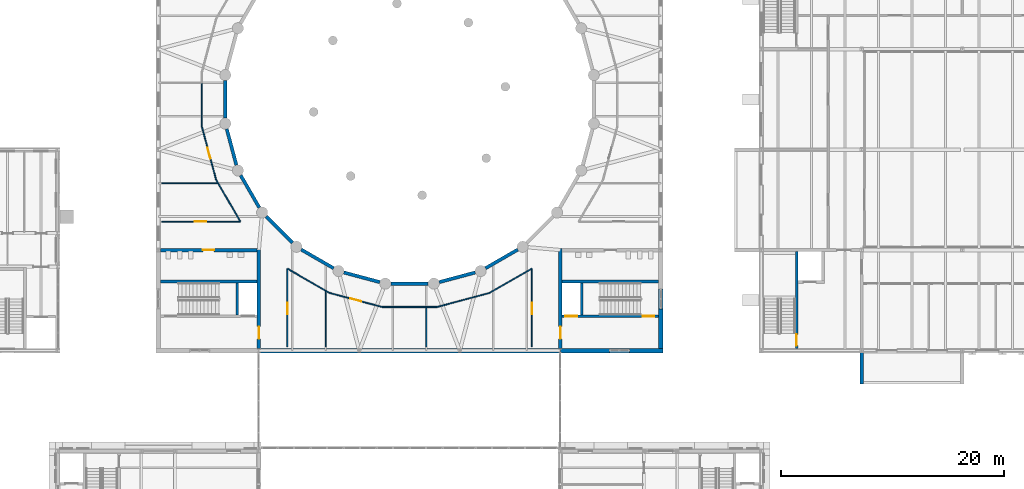
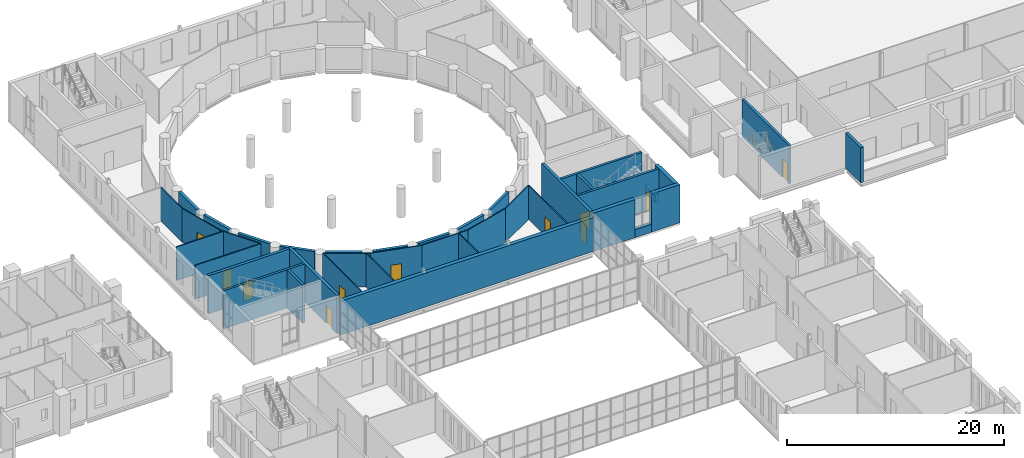
# One storey, part 83 of 134: 42 walls, 11 doors, 11 openings.
"""IFC4 building model written with IfcOpenShell, lengths in metres."""

from ifc_helpers import new_model, si_unit, direction, frame, frame_2d, origin, place, context, subcontext, project, spatial, rectangle, extrude, material, layer, layer_set, type_object, element, fill, save


model = new_model("IFC4")

# Units and contexts
model_context = context("Model", 3, precision=1e-05, world=origin(), true_north=direction((0.0, 1.0)))
body_context = subcontext(model_context, "Body", "Model", "MODEL_VIEW")
ifc_project = project(units=[si_unit("LENGTHUNIT", "METRE"), si_unit("AREAUNIT", "SQUARE_METRE"), si_unit("VOLUMEUNIT", "CUBIC_METRE"), si_unit("PLANEANGLEUNIT", "RADIAN"), si_unit("MASSUNIT", "GRAM", prefix="KILO")], contexts=[model_context])

# Site, building, storey
site_placement = place(None, origin())
site = spatial("IfcSite", under=ifc_project, at=site_placement, CompositionType="ELEMENT")
building_placement = place(site_placement, origin())
building = spatial("IfcBuilding", under=site, at=building_placement, Name="Golden Quay Civic Hall", CompositionType="ELEMENT")
storey_placement = place(building_placement, frame((0.0, 0.0, 5.39990234375)))
storey = spatial("IfcBuildingStorey", under=building, at=storey_placement, Name="L01", CompositionType="ELEMENT", Elevation=5.39990234375)

# Wall
ifc_material_1 = material(Name="Brick, dark clay facing", Category="masonry")
ifc_layer_1 = layer(ifc_material_1, 0.300048828125)
ifc_layer_set_1 = layer_set([ifc_layer_1], Name="Brick loggia wall 300")
wall_type_1 = type_object("IfcWallType", Name="Brick loggia wall 300", PredefinedType="STANDARD", material=ifc_layer_set_1)
wall_1_placement = place(storey_placement, frame((126.0, 62.820068359375, 0.0), z_axis=(0.0, 0.0, 1.0), x_axis=(0.0, -1.0, 0.0)))
element("IfcWall", 1, at=wall_1_placement, inside=storey, type_object=wall_type_1, Name="Brick loggia wall 300 L01 11", PredefinedType="STANDARD", context=body_context, shape_type="SweptSolid", body=[
    extrude(rectangle(XDim=2.820068359375, YDim=0.300048828125, at=frame_2d((1.41015625, 0.0))), origin(), (0.0, 0.0, 1.0), 3.97021484375),
])

# Wall, opening, door
ifc_material_2 = material(Name="Concrete C40/50", Category="concrete")
ifc_layer_2 = layer(ifc_material_2, 0.25)
ifc_layer_set_2 = layer_set([ifc_layer_2], Name="Concrete core wall 250, Concrete C40/50")
wall_type_2 = type_object("IfcWallType", Name="Concrete core wall 250", PredefinedType="SHEAR", material=ifc_layer_set_2)
wall_2_placement = place(storey_placement, frame((120.175048828125, 63.199951171875, 0.0), z_axis=(0.0, 0.0, 1.0), x_axis=(0.0, 1.0, 0.0)))
wall_2 = element("IfcWall", 2, at=wall_2_placement, inside=storey, type_object=wall_type_2, Name="L01 core wall W stair east", PredefinedType="SHEAR", context=body_context, shape_type="SweptSolid", body=[
    extrude(rectangle(XDim=8.675048828125, YDim=0.25, at=frame_2d((4.33740234375, 0.0))), origin(), (0.0, 0.0, 1.0), 4.300048828125),
])
opening_1_placement = place(wall_2_placement, frame((0.25, 0.0, 0.0)))
opening_1 = element("IfcOpeningElement", 3, at=opening_1_placement, cuts=wall_2, Name="Opening L01-D214", PredefinedType="OPENING", context=body_context, shape_type="SweptSolid", body=[
    extrude(rectangle(XDim=1.0, YDim=2.10009765625, at=frame_2d((0.5, 1.050048828125))), frame((0.0, 0.135009765625, 0.0), z_axis=(0.0, -1.0, 0.0), x_axis=(1.0, 0.0, 0.0)), (0.0, 0.0, 1.0), 0.27001953125),
])
ifc_material_3 = material(Name="Steel", Category="steel")
door_type_1 = type_object("IfcDoorType", Name="Steel fire door FD60 1000 x 2100", OperationType="SINGLE_SWING_LEFT", PredefinedType="DOOR", material=ifc_material_3)
door_1_placement = place(opening_1_placement, frame((1.0, 0.0, 0.0), z_axis=(0.0, 0.0, 1.0), x_axis=(-1.0, 0.0, 0.0)))
door_1 = element("IfcDoor", 4, at=door_1_placement, inside=storey, type_object=door_type_1, Name="Stair door LB-W", OperationType="SINGLE_SWING_RIGHT", OverallHeight=2.10009765625, OverallWidth=1.0, PredefinedType="DOOR", context=body_context, shape_type="SweptSolid", body=[
    extrude(rectangle(XDim=1.0, YDim=2.10009765625, at=frame_2d((0.5, 1.050048828125))), frame((0.0, 0.025146484375, 0.0), z_axis=(0.0, -1.0, 0.0), x_axis=(1.0, 0.0, 0.0)), (0.0, 0.0, 1.0), 0.050048828125),
])
fill(opening_1, door_1)

# Walls
ifc_material_4 = material(Name="Plasterboard on steel studs", Category="steel")
ifc_layer_3 = layer(ifc_material_4, 0.10009765625)
ifc_layer_set_3 = layer_set([ifc_layer_3], Name="Partition 100 stud")
wall_type_3 = type_object("IfcWallType", Name="Partition 100 stud", PredefinedType="PARTITIONING", material=ifc_layer_set_3)
wall_3_placement = place(storey_placement, frame((78.0, 63.320068359375, 0.0), z_axis=(0.0, 0.0, 1.0), x_axis=(0.0, 1.0, 0.0)))
element("IfcWall", 5, at=wall_3_placement, inside=storey, type_object=wall_type_3, Name="Partition 1", PredefinedType="PARTITIONING", context=body_context, shape_type="SweptSolid", body=[
    extrude(rectangle(XDim=5.03271484375, YDim=0.10009765625, at=frame_2d((2.516357421875, 0.0))), origin(), (0.0, 0.0, 1.0), 3.81005859375),
])
wall_4_placement = place(storey_placement, frame((87.0, 63.320068359375, 0.0), z_axis=(0.0, 0.0, 1.0), x_axis=(0.0, 1.0, 0.0)))
element("IfcWall", 6, at=wall_4_placement, inside=storey, type_object=wall_type_3, Name="Partition 4", PredefinedType="PARTITIONING", context=body_context, shape_type="SweptSolid", body=[
    extrude(rectangle(XDim=3.579833984375, YDim=0.10009765625, at=frame_2d((1.7900390625, 0.0))), origin(), (0.0, 0.0, 1.0), 3.81005859375),
])
wall_5_placement = place(storey_placement, frame((68.352783203125, 78.0, 0.0), z_axis=(0.0, 0.0, 1.0), x_axis=(-1.0, 0.0, 0.0)))
element("IfcWall", 7, at=wall_5_placement, inside=storey, type_object=wall_type_3, Name="Partition 12", PredefinedType="PARTITIONING", context=body_context, shape_type="SweptSolid", body=[
    extrude(rectangle(XDim=5.03271484375, YDim=0.10009765625, at=frame_2d((2.516357421875, 0.0))), origin(), (0.0, 0.0, 1.0), 3.81005859375),
])
ifc_material_5 = material(Name="Gypsum board on steel stud", Category="steel")
ifc_layer_4 = layer(ifc_material_5, 0.10009765625)
ifc_layer_set_4 = layer_set([ifc_layer_4], Name="Partition 100 stud fire EI 60")
wall_type_4 = type_object("IfcWallType", Name="Partition 100 stud fire EI 60", PredefinedType="PARTITIONING", material=ifc_layer_set_4)
wall_6_placement = place(storey_placement, frame((78.02001953125, 68.341064453125, 0.0), z_axis=(0.0, 0.0, 1.0), x_axis=(-0.866022221199, 0.500005512359, 0.0)))
element("IfcWall", 8, at=wall_6_placement, inside=storey, type_object=wall_type_4, Name="Partition 2", PredefinedType="PARTITIONING", context=body_context, shape_type="SweptSolid", body=[
    extrude(rectangle(XDim=4.0068359375, YDim=0.10009765625, at=frame_2d((2.00341796875, 0.0))), origin(), (0.0, 0.0, 1.0), 3.81005859375),
])

# Wall, opening, door
wall_7_placement = place(storey_placement, frame((74.550048828125, 70.344482421875, 0.0), z_axis=(0.0, 0.0, 1.0), x_axis=(0.0, -1.0, 0.0)))
wall_7 = element("IfcWall", 9, at=wall_7_placement, inside=storey, type_object=wall_type_4, Name="Partition 3", PredefinedType="PARTITIONING", context=body_context, shape_type="SweptSolid", body=[
    extrude(rectangle(XDim=7.0244140625, YDim=0.10009765625, at=frame_2d((3.51220703125, 0.0))), origin(), (0.0, 0.0, 1.0), 3.81005859375),
])
opening_2_placement = place(wall_7_placement, frame((3.072265625, 0.0, 0.0)))
opening_2 = element("IfcOpeningElement", 10, at=opening_2_placement, cuts=wall_7, Name="Opening L01-D178", PredefinedType="OPENING", context=body_context, shape_type="SweptSolid", body=[
    extrude(rectangle(XDim=1.0, YDim=2.10009765625, at=frame_2d((0.5, 1.050048828125))), frame((0.0, 0.06005859375, 0.0), z_axis=(0.0, -1.0, 0.0), x_axis=(1.0, 0.0, 0.0)), (0.0, 0.0, 1.0), 0.1201171875),
])
ifc_material_6 = material(Name="Timber", Category="wood")
door_type_2 = type_object("IfcDoorType", Name="Timber fire door FD30S 1000 x 2100", OperationType="SINGLE_SWING_LEFT", PredefinedType="DOOR", material=ifc_material_6)
door_2_placement = place(opening_2_placement, origin())
door_2 = element("IfcDoor", 11, at=door_2_placement, inside=storey, type_object=door_type_2, Name="Door Press Room", OperationType="SINGLE_SWING_LEFT", OverallHeight=2.10009765625, OverallWidth=1.0, PredefinedType="DOOR", context=body_context, shape_type="SweptSolid", body=[
    extrude(rectangle(XDim=1.0, YDim=2.10009765625, at=frame_2d((0.5, 1.050048828125))), frame((0.0, 0.02490234375, 0.0), z_axis=(0.0, -1.0, 0.0), x_axis=(1.0, 0.0, 0.0)), (0.0, 0.0, 1.0), 0.050048828125),
])
fill(opening_2, door_2)

# Wall
wall_8_placement = place(storey_placement, frame((87.02001953125, 66.89990234375, 0.0), z_axis=(0.0, 0.0, 1.0), x_axis=(-1.0, 0.0, 0.0)))
element("IfcWall", 12, at=wall_8_placement, inside=storey, type_object=wall_type_4, Name="Partition 5", PredefinedType="PARTITIONING", context=body_context, shape_type="SweptSolid", body=[
    extrude(rectangle(XDim=3.96875, YDim=0.10009765625, at=frame_2d((1.984375, 0.0))), origin(), (0.0, 0.0, 1.0), 3.81005859375),
])

# Wall, opening, door
wall_9_placement = place(storey_placement, frame((83.05126953125, 66.89990234375, 0.0), z_axis=(0.0, 0.0, 1.0), x_axis=(-0.965923128678, 0.258829112515, 0.0)))
wall_9 = element("IfcWall", 13, at=wall_9_placement, inside=storey, type_object=wall_type_4, Name="Partition 6", PredefinedType="PARTITIONING", context=body_context, shape_type="SweptSolid", body=[
    extrude(rectangle(XDim=4.8974609375, YDim=0.10009765625, at=frame_2d((2.44873046875, 0.0))), origin(), (0.0, 0.0, 1.0), 3.81005859375),
])
opening_3_placement = place(wall_9_placement, frame((1.94873046875, 0.0, 0.0)))
opening_3 = element("IfcOpeningElement", 14, at=opening_3_placement, cuts=wall_9, Name="Opening L01-D179", PredefinedType="OPENING", context=body_context, shape_type="SweptSolid", body=[
    extrude(rectangle(XDim=1.0, YDim=2.10009765625, at=frame_2d((0.5, 1.050048828125))), frame((0.0, 0.06005859375, 0.0), z_axis=(0.0, -1.0, 0.0), x_axis=(1.0, 0.0, 0.0)), (0.0, 0.0, 1.0), 0.1201171875),
])
door_3_placement = place(opening_3_placement, origin())
door_3 = element("IfcDoor", 15, at=door_3_placement, inside=storey, type_object=door_type_2, Name="Door Press Briefing Room", OperationType="SINGLE_SWING_LEFT", OverallHeight=2.10009765625, OverallWidth=1.0, PredefinedType="DOOR", context=body_context, shape_type="SweptSolid", body=[
    extrude(rectangle(XDim=1.0, YDim=2.10009765625, at=frame_2d((0.5, 1.050048828125))), frame((0.0, 0.02490234375, 0.0), z_axis=(0.0, -1.0, 0.0), x_axis=(1.0, 0.0, 0.0)), (0.0, 0.0, 1.0), 0.050048828125),
])
fill(opening_3, door_3)

# Wall
wall_10_placement = place(storey_placement, frame((78.32080078125, 68.16748046875, 0.0), z_axis=(0.0, 0.0, 1.0), x_axis=(-0.86592525075, 0.500173430036, 0.0)))
element("IfcWall", 16, at=wall_10_placement, inside=storey, type_object=wall_type_4, Name="Partition 7", PredefinedType="PARTITIONING", context=body_context, shape_type="SweptSolid", body=[
    extrude(rectangle(XDim=0.390380859375, YDim=0.10009765625, at=frame_2d((0.1953125, 0.0))), origin(), (0.0, 0.0, 1.0), 3.81005859375),
])

# Wall, opening, door
wall_11_placement = place(storey_placement, frame((96.449951171875, 63.320068359375, 0.0), z_axis=(0.0, 0.0, 1.0), x_axis=(0.0, 1.0, 0.0)))
wall_11 = element("IfcWall", 17, at=wall_11_placement, inside=storey, type_object=wall_type_4, Name="Partition 8", PredefinedType="PARTITIONING", context=body_context, shape_type="SweptSolid", body=[
    extrude(rectangle(XDim=7.0244140625, YDim=0.10009765625, at=frame_2d((3.51220703125, 0.0))), origin(), (0.0, 0.0, 1.0), 3.81005859375),
])
opening_4_placement = place(wall_11_placement, frame((2.952392578125, 0.0, 0.0)))
opening_4 = element("IfcOpeningElement", 18, at=opening_4_placement, cuts=wall_11, Name="Opening L01-D180", PredefinedType="OPENING", context=body_context, shape_type="SweptSolid", body=[
    extrude(rectangle(XDim=1.0, YDim=2.10009765625, at=frame_2d((0.5, 1.050048828125))), frame((0.0, 0.06005859375, 0.0), z_axis=(0.0, -1.0, 0.0), x_axis=(1.0, 0.0, 0.0)), (0.0, 0.0, 1.0), 0.1201171875),
])
door_4_placement = place(opening_4_placement, origin())
door_4 = element("IfcDoor", 19, at=door_4_placement, inside=storey, type_object=door_type_2, Name="Door Media Control Room", OperationType="SINGLE_SWING_LEFT", OverallHeight=2.10009765625, OverallWidth=1.0, PredefinedType="DOOR", context=body_context, shape_type="SweptSolid", body=[
    extrude(rectangle(XDim=1.0, YDim=2.10009765625, at=frame_2d((0.5, 1.050048828125))), frame((0.0, 0.02490234375, 0.0), z_axis=(0.0, -1.0, 0.0), x_axis=(1.0, 0.0, 0.0)), (0.0, 0.0, 1.0), 0.050048828125),
])
fill(opening_4, door_4)

# Walls
wall_12_placement = place(storey_placement, frame((96.449951171875, 70.344482421875, 0.0), z_axis=(0.0, 0.0, 1.0), x_axis=(-0.866029650479, -0.499992644437, 0.0)))
element("IfcWall", 20, at=wall_12_placement, inside=storey, type_object=wall_type_4, Name="Partition 9", PredefinedType="PARTITIONING", context=body_context, shape_type="SweptSolid", body=[
    extrude(rectangle(XDim=4.35400390625, YDim=0.10009765625, at=frame_2d((2.177001953125, 0.0))), origin(), (0.0, 0.0, 1.0), 3.81005859375),
])
wall_13_placement = place(storey_placement, frame((92.67919921875, 68.16748046875, 0.0), z_axis=(0.0, 0.0, 1.0), x_axis=(-0.965923128678, -0.258829112515, 0.0)))
element("IfcWall", 21, at=wall_13_placement, inside=storey, type_object=wall_type_4, Name="Partition 10", PredefinedType="PARTITIONING", context=body_context, shape_type="SweptSolid", body=[
    extrude(rectangle(XDim=4.8974609375, YDim=0.10009765625, at=frame_2d((2.44873046875, 0.0))), origin(), (0.0, 0.0, 1.0), 3.81005859375),
])
wall_14_placement = place(storey_placement, frame((87.94873046875, 66.89990234375, 0.0), z_axis=(0.0, 0.0, 1.0), x_axis=(-1.0, 0.0, 0.0)))
element("IfcWall", 22, at=wall_14_placement, inside=storey, type_object=wall_type_4, Name="Partition 11", PredefinedType="PARTITIONING", context=body_context, shape_type="SweptSolid", body=[
    extrude(rectangle(XDim=0.96875, YDim=0.10009765625, at=frame_2d((0.484375, 0.0))), origin(), (0.0, 0.0, 1.0), 3.81005859375),
])

# Wall, opening, door
wall_15_placement = place(storey_placement, frame((63.320068359375, 74.550048828125, 0.0), z_axis=(0.0, 0.0, 1.0), x_axis=(1.0, 0.0, 0.0)))
wall_15 = element("IfcWall", 23, at=wall_15_placement, inside=storey, type_object=wall_type_4, Name="Partition 13", PredefinedType="PARTITIONING", context=body_context, shape_type="SweptSolid", body=[
    extrude(rectangle(XDim=7.0244140625, YDim=0.10009765625, at=frame_2d((3.51220703125, 0.0))), origin(), (0.0, 0.0, 1.0), 3.81005859375),
])
opening_5_placement = place(wall_15_placement, frame((2.952392578125, 0.0, 0.0)))
opening_5 = element("IfcOpeningElement", 24, at=opening_5_placement, cuts=wall_15, Name="Opening L01-D181", PredefinedType="OPENING", context=body_context, shape_type="SweptSolid", body=[
    extrude(rectangle(XDim=1.0, YDim=2.10009765625, at=frame_2d((0.5, 1.050048828125))), frame((0.0, 0.06005859375, 0.0), z_axis=(0.0, -1.0, 0.0), x_axis=(1.0, 0.0, 0.0)), (0.0, 0.0, 1.0), 0.1201171875),
])
door_5_placement = place(opening_5_placement, origin())
door_5 = element("IfcDoor", 25, at=door_5_placement, inside=storey, type_object=door_type_2, Name="Door Members' Lounge", OperationType="SINGLE_SWING_LEFT", OverallHeight=2.10009765625, OverallWidth=1.0, PredefinedType="DOOR", context=body_context, shape_type="SweptSolid", body=[
    extrude(rectangle(XDim=1.0, YDim=2.10009765625, at=frame_2d((0.5, 1.050048828125))), frame((0.0, 0.02490234375, 0.0), z_axis=(0.0, -1.0, 0.0), x_axis=(1.0, 0.0, 0.0)), (0.0, 0.0, 1.0), 0.050048828125),
])
fill(opening_5, door_5)

# Walls
wall_16_placement = place(storey_placement, frame((70.344482421875, 74.550048828125, 0.0), z_axis=(0.0, 0.0, 1.0), x_axis=(-0.500005512359, 0.866022221199, 0.0)))
element("IfcWall", 26, at=wall_16_placement, inside=storey, type_object=wall_type_4, Name="Partition 14", PredefinedType="PARTITIONING", context=body_context, shape_type="SweptSolid", body=[
    extrude(rectangle(XDim=4.0068359375, YDim=0.10009765625, at=frame_2d((2.00341796875, 0.0))), origin(), (0.0, 0.0, 1.0), 3.81005859375),
])
wall_17_placement = place(storey_placement, frame((68.36279296875, 77.982666015625, 0.0), z_axis=(0.0, 0.0, 1.0), x_axis=(-0.500173430036, 0.86592525075, 0.0)))
element("IfcWall", 27, at=wall_17_placement, inside=storey, type_object=wall_type_4, Name="Partition 16", PredefinedType="PARTITIONING", context=body_context, shape_type="SweptSolid", body=[
    extrude(rectangle(XDim=0.390380859375, YDim=0.10009765625, at=frame_2d((0.1953125, 0.0))), origin(), (0.0, 0.0, 1.0), 3.81005859375),
])

# Wall, opening, door
wall_18_placement = place(storey_placement, frame((68.16748046875, 78.32080078125, 0.0), z_axis=(0.0, 0.0, 1.0), x_axis=(-0.258829112515, 0.965923128678, 0.0)))
wall_18 = element("IfcWall", 28, at=wall_18_placement, inside=storey, type_object=wall_type_4, Name="Partition 17", PredefinedType="PARTITIONING", context=body_context, shape_type="SweptSolid", body=[
    extrude(rectangle(XDim=4.8974609375, YDim=0.10009765625, at=frame_2d((2.44873046875, 0.0))), origin(), (0.0, 0.0, 1.0), 3.81005859375),
])
opening_6_placement = place(wall_18_placement, frame((1.94873046875, 0.0, 0.0)))
opening_6 = element("IfcOpeningElement", 29, at=opening_6_placement, cuts=wall_18, Name="Opening L01-D182", PredefinedType="OPENING", context=body_context, shape_type="SweptSolid", body=[
    extrude(rectangle(XDim=1.0, YDim=2.10009765625, at=frame_2d((0.5, 1.050048828125))), frame((0.0, 0.06005859375, 0.0), z_axis=(0.0, -1.0, 0.0), x_axis=(1.0, 0.0, 0.0)), (0.0, 0.0, 1.0), 0.1201171875),
])
door_6_placement = place(opening_6_placement, origin())
door_6 = element("IfcDoor", 30, at=door_6_placement, inside=storey, type_object=door_type_2, Name="Door Members' Dining Room", OperationType="SINGLE_SWING_LEFT", OverallHeight=2.10009765625, OverallWidth=1.0, PredefinedType="DOOR", context=body_context, shape_type="SweptSolid", body=[
    extrude(rectangle(XDim=1.0, YDim=2.10009765625, at=frame_2d((0.5, 1.050048828125))), frame((0.0, 0.02490234375, 0.0), z_axis=(0.0, -1.0, 0.0), x_axis=(1.0, 0.0, 0.0)), (0.0, 0.0, 1.0), 0.050048828125),
])
fill(opening_6, door_6)

# Wall
wall_19_placement = place(storey_placement, frame((66.89990234375, 83.05126953125, 0.0), z_axis=(0.0, 0.0, 1.0), x_axis=(0.0, 1.0, 0.0)))
element("IfcWall", 31, at=wall_19_placement, inside=storey, type_object=wall_type_4, Name="Partition 18", PredefinedType="PARTITIONING", context=body_context, shape_type="SweptSolid", body=[
    extrude(rectangle(XDim=3.96875, YDim=0.10009765625, at=frame_2d((1.984375, 0.0))), origin(), (0.0, 0.0, 1.0), 3.81005859375),
])

# Wall, opening, door
ifc_material_7 = material(Name="Concrete C40/50", Category="concrete")
ifc_layer_5 = layer(ifc_material_7, 0.300048828125)
ifc_layer_set_5 = layer_set([ifc_layer_5], Name="Reinforced concrete core wall 300, Concrete C40/50")
wall_type_5 = type_object("IfcWallType", Name="Reinforced concrete core wall 300", PredefinedType="SHEAR", material=ifc_layer_set_5)
wall_20_placement = place(storey_placement, frame((72.0, 63.199951171875, 0.0), z_axis=(0.0, 0.0, 1.0), x_axis=(0.0, 1.0, 0.0)))
wall_20 = element("IfcWall", 32, at=wall_20_placement, inside=storey, type_object=wall_type_5, Name="Core wall SW A", PredefinedType="SHEAR", context=body_context, shape_type="SweptSolid", body=[
    extrude(rectangle(XDim=8.949951171875, YDim=0.300048828125, at=frame_2d((4.47509765625, 0.0))), origin(), (0.0, 0.0, 1.0), 4.300048828125),
])
opening_7_placement = place(wall_20_placement, frame((0.85009765625, 0.0, 0.0)))
opening_7 = element("IfcOpeningElement", 33, at=opening_7_placement, cuts=wall_20, Name="Opening L01-D165", PredefinedType="OPENING", context=body_context, shape_type="SweptSolid", body=[
    extrude(rectangle(XDim=1.10009765625, YDim=2.10009765625, at=frame_2d((0.550048828125, 1.050048828125))), frame((0.0, 0.159912109375, 0.0), z_axis=(0.0, -1.0, 0.0), x_axis=(1.0, 0.0, 0.0)), (0.0, 0.0, 1.0), 0.320068359375),
])
ifc_material_8 = material(Name="Steel", Category="steel")
door_type_3 = type_object("IfcDoorType", Name="Steel fire door FD60 1100 x 2100", OperationType="SINGLE_SWING_LEFT", PredefinedType="DOOR", material=ifc_material_8)
door_7_placement = place(opening_7_placement, frame((1.10009765625, 0.0, 0.0), z_axis=(0.0, 0.0, 1.0), x_axis=(-1.0, 0.0, 0.0)))
door_7 = element("IfcDoor", 34, at=door_7_placement, inside=storey, type_object=door_type_3, Name="Core lobby door SW", OperationType="SINGLE_SWING_RIGHT", OverallHeight=2.10009765625, OverallWidth=1.10009765625, PredefinedType="DOOR", context=body_context, shape_type="SweptSolid", body=[
    extrude(rectangle(XDim=1.10009765625, YDim=2.10009765625, at=frame_2d((0.550048828125, 1.050048828125))), frame((0.0, 0.025146484375, 0.0), z_axis=(0.0, -1.0, 0.0), x_axis=(1.0, 0.0, 0.0)), (0.0, 0.0, 1.0), 0.050048828125),
])
fill(opening_7, door_7)

wall_21_placement = place(storey_placement, frame((63.199951171875, 72.0, 0.0), z_axis=(0.0, 0.0, 1.0), x_axis=(1.0, 0.0, 0.0)))
wall_21 = element("IfcWall", 35, at=wall_21_placement, inside=storey, type_object=wall_type_5, Name="Core wall SW B", PredefinedType="SHEAR", context=body_context, shape_type="SweptSolid", body=[
    extrude(rectangle(XDim=8.650146484375, YDim=0.300048828125, at=frame_2d((4.3251953125, 0.0))), origin(), (0.0, 0.0, 1.0), 4.300048828125),
])
opening_8_placement = place(wall_21_placement, frame((3.800048828125, 0.0, 0.0)))
opening_8 = element("IfcOpeningElement", 36, at=opening_8_placement, cuts=wall_21, Name="Opening L01-D166", PredefinedType="OPENING", context=body_context, shape_type="SweptSolid", body=[
    extrude(rectangle(XDim=1.0, YDim=2.10009765625, at=frame_2d((0.5, 1.050048828125))), frame((0.0, 0.159912109375, 0.0), z_axis=(0.0, -1.0, 0.0), x_axis=(1.0, 0.0, 0.0)), (0.0, 0.0, 1.0), 0.320068359375),
])
door_8_placement = place(opening_8_placement, frame((1.0, 0.0, 0.0), z_axis=(0.0, 0.0, 1.0), x_axis=(-1.0, 0.0, 0.0)))
door_8 = element("IfcDoor", 37, at=door_8_placement, inside=storey, type_object=door_type_1, Name="Service door SW", OperationType="SINGLE_SWING_RIGHT", OverallHeight=2.10009765625, OverallWidth=1.0, PredefinedType="DOOR", context=body_context, shape_type="SweptSolid", body=[
    extrude(rectangle(XDim=1.0, YDim=2.10009765625, at=frame_2d((0.5, 1.050048828125))), frame((0.0, 0.025146484375, 0.0), z_axis=(0.0, -1.0, 0.0), x_axis=(1.0, 0.0, 0.0)), (0.0, 0.0, 1.0), 0.050048828125),
])
fill(opening_8, door_8)

wall_22_placement = place(storey_placement, frame((99.0, 63.199951171875, 0.0), z_axis=(0.0, 0.0, 1.0), x_axis=(0.0, 1.0, 0.0)))
wall_22 = element("IfcWall", 38, at=wall_22_placement, inside=storey, type_object=wall_type_5, Name="Core wall SE A", PredefinedType="SHEAR", context=body_context, shape_type="SweptSolid", body=[
    extrude(rectangle(XDim=8.949951171875, YDim=0.300048828125, at=frame_2d((4.47509765625, 0.0))), origin(), (0.0, 0.0, 1.0), 4.300048828125),
])
opening_9_placement = place(wall_22_placement, frame((0.85009765625, 0.0, 0.0)))
opening_9 = element("IfcOpeningElement", 39, at=opening_9_placement, cuts=wall_22, Name="Opening L01-D169", PredefinedType="OPENING", context=body_context, shape_type="SweptSolid", body=[
    extrude(rectangle(XDim=1.10009765625, YDim=2.10009765625, at=frame_2d((0.550048828125, 1.050048828125))), frame((0.0, 0.159912109375, 0.0), z_axis=(0.0, -1.0, 0.0), x_axis=(1.0, 0.0, 0.0)), (0.0, 0.0, 1.0), 0.320068359375),
])
door_9_placement = place(opening_9_placement, origin())
door_9 = element("IfcDoor", 40, at=door_9_placement, inside=storey, type_object=door_type_3, Name="Core lobby door SE", OperationType="SINGLE_SWING_LEFT", OverallHeight=2.10009765625, OverallWidth=1.10009765625, PredefinedType="DOOR", context=body_context, shape_type="SweptSolid", body=[
    extrude(rectangle(XDim=1.10009765625, YDim=2.10009765625, at=frame_2d((0.550048828125, 1.050048828125))), frame((0.0, 0.02490234375, 0.0), z_axis=(0.0, -1.0, 0.0), x_axis=(1.0, 0.0, 0.0)), (0.0, 0.0, 1.0), 0.050048828125),
])
fill(opening_9, door_9)

# Walls
ifc_material_9 = material(Name="Concrete C40/50", Category="concrete")
ifc_layer_6 = layer(ifc_material_9, 0.25)
ifc_layer_set_6 = layer_set([ifc_layer_6], Name="Reinforced concrete shaft wall 250, Concrete C40/50")
wall_type_6 = type_object("IfcWallType", Name="Reinforced concrete shaft wall 250", PredefinedType="SHEAR", material=ifc_layer_set_6)
wall_23_placement = place(storey_placement, frame((63.199951171875, 69.175048828125, 0.0), z_axis=(0.0, 0.0, 1.0), x_axis=(1.0, 0.0, 0.0)))
element("IfcWall", 41, at=wall_23_placement, inside=storey, type_object=wall_type_6, Name="Shaft wall SW 2", PredefinedType="SHEAR", context=body_context, shape_type="SweptSolid", body=[
    extrude(rectangle(XDim=8.650146484375, YDim=0.25, at=frame_2d((4.3251953125, 0.0))), origin(), (0.0, 0.0, 1.0), 4.300048828125),
])
wall_24_placement = place(storey_placement, frame((70.074951171875, 66.199951171875, 0.0), z_axis=(0.0, 0.0, 1.0), x_axis=(0.0, 1.0, 0.0)))
element("IfcWall", 42, at=wall_24_placement, inside=storey, type_object=wall_type_6, Name="Shaft wall SW 3", PredefinedType="SHEAR", context=body_context, shape_type="SweptSolid", body=[
    extrude(rectangle(XDim=2.85009765625, YDim=0.25, at=frame_2d((1.425048828125, 0.0))), origin(), (0.0, 0.0, 1.0), 4.300048828125),
])

# Wall, openings, doors
wall_25_placement = place(storey_placement, frame((107.800048828125, 66.074951171875, 0.0), z_axis=(0.0, 0.0, 1.0), x_axis=(-1.0, 0.0, 0.0)))
wall_25 = element("IfcWall", 43, at=wall_25_placement, inside=storey, type_object=wall_type_6, Name="Shaft wall SE 1", PredefinedType="SHEAR", context=body_context, shape_type="SweptSolid", body=[
    extrude(rectangle(XDim=8.650146484375, YDim=0.25, at=frame_2d((4.3251953125, 0.0))), origin(), (0.0, 0.0, 1.0), 4.300048828125),
])
opening_10_placement = place(wall_25_placement, frame((0.39990234375, 0.0, 0.0)))
opening_10 = element("IfcOpeningElement", 44, at=opening_10_placement, cuts=wall_25, Name="Opening L01-D168", PredefinedType="OPENING", context=body_context, shape_type="SweptSolid", body=[
    extrude(rectangle(XDim=1.0, YDim=2.10009765625, at=frame_2d((0.5, 1.050048828125))), frame((0.0, 0.135009765625, 0.0), z_axis=(0.0, -1.0, 0.0), x_axis=(1.0, 0.0, 0.0)), (0.0, 0.0, 1.0), 0.27001953125),
])
opening_11_placement = place(wall_25_placement, frame((7.27490234375, 0.0, 0.0)))
opening_11 = element("IfcOpeningElement", 45, at=opening_11_placement, cuts=wall_25, Name="Opening L01-D171", PredefinedType="OPENING", context=body_context, shape_type="SweptSolid", body=[
    extrude(rectangle(XDim=1.10009765625, YDim=2.10009765625, at=frame_2d((0.550048828125, 1.050048828125))), frame((0.0, 0.135009765625, 0.0), z_axis=(0.0, -1.0, 0.0), x_axis=(1.0, 0.0, 0.0)), (0.0, 0.0, 1.0), 0.27001953125),
])
ifc_material_10 = material(Name="Steel", Category="steel")
door_type_4 = type_object("IfcDoorType", Name="Lift landing door 1100 x 2100", OperationType="SLIDING_TO_LEFT", PredefinedType="DOOR", material=ifc_material_10)
door_10_placement = place(opening_11_placement, origin())
door_10 = element("IfcDoor", 46, at=door_10_placement, inside=storey, type_object=door_type_4, Name="Lift SE landing door", OperationType="SLIDING_TO_LEFT", OverallHeight=2.10009765625, OverallWidth=1.10009765625, PredefinedType="DOOR", context=body_context, shape_type="SweptSolid", body=[
    extrude(rectangle(XDim=1.10009765625, YDim=2.10009765625, at=frame_2d((0.550048828125, 1.050048828125))), frame((0.0, 0.02490234375, 0.0), z_axis=(0.0, -1.0, 0.0), x_axis=(1.0, 0.0, 0.0)), (0.0, 0.0, 1.0), 0.050048828125),
])
fill(opening_11, door_10)
door_11_placement = place(opening_10_placement, frame((1.0, 0.0, 0.0), z_axis=(0.0, 0.0, 1.0), x_axis=(-1.0, 0.0, 0.0)))
door_11 = element("IfcDoor", 47, at=door_11_placement, inside=storey, type_object=door_type_3, Name="Stair door SE", OperationType="SINGLE_SWING_RIGHT", OverallHeight=2.10009765625, OverallWidth=1.0, PredefinedType="DOOR", context=body_context, shape_type="SweptSolid", body=[
    extrude(rectangle(XDim=1.0, YDim=2.10009765625, at=frame_2d((0.5, 1.050048828125))), frame((0.0, 0.025146484375, 0.0), z_axis=(0.0, -1.0, 0.0), x_axis=(1.0, 0.0, 0.0)), (0.0, 0.0, 1.0), 0.050048828125),
])
fill(opening_10, door_11)

# Walls
wall_26_placement = place(storey_placement, frame((107.800048828125, 69.175048828125, 0.0), z_axis=(0.0, 0.0, 1.0), x_axis=(-1.0, 0.0, 0.0)))
element("IfcWall", 48, at=wall_26_placement, inside=storey, type_object=wall_type_6, Name="Shaft wall SE 2", PredefinedType="SHEAR", context=body_context, shape_type="SweptSolid", body=[
    extrude(rectangle(XDim=8.650146484375, YDim=0.25, at=frame_2d((4.3251953125, 0.0))), origin(), (0.0, 0.0, 1.0), 4.300048828125),
])
wall_27_placement = place(storey_placement, frame((100.925048828125, 66.199951171875, 0.0), z_axis=(0.0, 0.0, 1.0), x_axis=(0.0, 1.0, 0.0)))
element("IfcWall", 49, at=wall_27_placement, inside=storey, type_object=wall_type_6, Name="Shaft wall SE 3", PredefinedType="SHEAR", context=body_context, shape_type="SweptSolid", body=[
    extrude(rectangle(XDim=2.85009765625, YDim=0.25, at=frame_2d((1.425048828125, 0.0))), origin(), (0.0, 0.0, 1.0), 4.300048828125),
])
ifc_material_11 = material(Name="Brick masonry with render", Category="masonry")
ifc_layer_7 = layer(ifc_material_11, 0.39990234375)
ifc_layer_set_7 = layer_set([ifc_layer_7], Name="Rendered brick external wall 400 fire EI 120")
wall_type_7 = type_object("IfcWallType", Name="Rendered brick external wall 400 fire EI 120", PredefinedType="STANDARD", material=ifc_layer_set_7)
wall_28_placement = place(storey_placement, frame((99.0, 63.0, 0.0), z_axis=(0.0, 0.0, 1.0), x_axis=(1.0, 0.0, 0.0)))
element("IfcWall", 50, at=wall_28_placement, inside=storey, type_object=wall_type_7, Name="Base wall S 99", PredefinedType="STANDARD", context=body_context, shape_type="SweptSolid", body=[
    extrude(rectangle(XDim=4.39990234375, YDim=0.39990234375, at=frame_2d((2.199951171875, 0.0))), origin(), (0.0, 0.0, 1.0), 4.300048828125),
])
wall_29_placement = place(storey_placement, frame((105.199951171875, 63.0, 0.0), z_axis=(0.0, 0.0, 1.0), x_axis=(1.0, 0.0, 0.0)))
element("IfcWall", 51, at=wall_29_placement, inside=storey, type_object=wall_type_7, Name="Base wall S 99 (beyond the bay)", PredefinedType="STANDARD", context=body_context, shape_type="SweptSolid", body=[
    extrude(rectangle(XDim=3.0, YDim=0.39990234375, at=frame_2d((1.5, 0.0))), origin(), (0.0, 0.0, 1.0), 4.300048828125),
])
wall_30_placement = place(storey_placement, frame((103.39990234375, 63.0, 0.0), z_axis=(0.0, 0.0, 1.0), x_axis=(1.0, 0.0, 0.0)))
element("IfcWall", 52, at=wall_30_placement, inside=storey, type_object=wall_type_7, Name="Base wall S 99 sill", PredefinedType="STANDARD", context=body_context, shape_type="SweptSolid", body=[
    extrude(rectangle(XDim=1.800048828125, YDim=0.39990234375, at=frame_2d((0.89990234375, 0.0))), origin(), (0.0, 0.0, 1.0), 0.900146484375),
])
wall_31_placement = place(storey_placement, frame((108.0, 63.199951171875, 0.0), z_axis=(0.0, 0.0, 1.0), x_axis=(0.0, 1.0, 0.0)))
element("IfcWall", 53, at=wall_31_placement, inside=storey, type_object=wall_type_7, Name="Base wall E 63", PredefinedType="STANDARD", context=body_context, shape_type="SweptSolid", body=[
    extrude(rectangle(XDim=3.525146484375, YDim=0.39990234375, at=frame_2d((1.7626953125, 0.0))), origin(), (0.0, 0.0, 1.0), 4.300048828125),
])
wall_32_placement = place(storey_placement, frame((108.0, 66.72509765625, 0.0), z_axis=(0.0, 0.0, 1.0), x_axis=(0.0, 1.0, 0.0)))
element("IfcWall", 54, at=wall_32_placement, inside=storey, type_object=wall_type_7, Name="Base wall E 63 sill", PredefinedType="STANDARD", context=body_context, shape_type="SweptSolid", body=[
    extrude(rectangle(XDim=1.7998046875, YDim=0.39990234375, at=frame_2d((0.89990234375, 0.0))), origin(), (0.0, 0.0, 1.0), 0.900146484375),
])
ifc_material_12 = material(Name="Brick masonry with render", Category="masonry")
ifc_layer_8 = layer(ifc_material_12, 0.39990234375)
ifc_layer_set_8 = layer_set([ifc_layer_8], Name="Rendered brick hall wall 400 fire EI 120")
wall_type_8 = type_object("IfcWallType", Name="Rendered brick hall wall 400 fire EI 120", PredefinedType="STANDARD", material=ifc_layer_set_8)
wall_33_placement = place(storey_placement, frame((72.0, 63.0, 0.0), z_axis=(0.0, 0.0, 1.0), x_axis=(1.0, 0.0, 0.0)))
element("IfcWall", 55, at=wall_33_placement, inside=storey, type_object=wall_type_8, Name="Base wall S 72", PredefinedType="STANDARD", context=body_context, shape_type="SweptSolid", body=[
    extrude(rectangle(XDim=27.0, YDim=0.39990234375, at=frame_2d((13.5, 0.0))), origin(), (0.0, 0.0, 1.0), 3.81005859375),
])
ifc_material_13 = material(Name="Concrete C30/37", Category="concrete")
ifc_layer_9 = layer(ifc_material_13, 0.300048828125)
ifc_layer_set_9 = layer_set([ifc_layer_9], Name="Rotunda enclosure wall 300")
wall_type_9 = type_object("IfcWallType", Name="Rotunda enclosure wall 300", PredefinedType="PARTITIONING", material=ifc_layer_set_9)
wall_34_placement = place(storey_placement, frame((69.0, 87.17236328125, 0.0), z_axis=(0.0, 0.0, 1.0), x_axis=(0.0, -1.0, 0.0)))
element("IfcWall", 56, at=wall_34_placement, inside=storey, type_object=wall_type_9, Name="Rotunda wall 12", PredefinedType="PARTITIONING", context=body_context, shape_type="SweptSolid", body=[
    extrude(rectangle(XDim=3.3447265625, YDim=0.300048828125, at=frame_2d((1.67236328125, 0.0))), origin(), (0.0, 0.0, 1.0), 2.5),
])
for number, where, z_axis, x_axis, name in (
    (57, (69.12939453125, 82.8447265625, 0.0), (0.0, 0.0, 1.0), (0.258852846257, -0.965916768663, 0.0), "Rotunda wall 13"),
    (58, (70.37451171875, 78.6982421875, 0.0), (0.0, 0.0, 1.0), (0.49996257386, -0.866047010698, 0.0), "Rotunda wall 14"),
):
    element("IfcWall", number, at=place(storey_placement, frame(where, z_axis=z_axis, x_axis=x_axis)), inside=storey, type_object=wall_type_9, Name=name, PredefinedType="PARTITIONING", context=body_context, shape_type="SweptSolid", body=[
        extrude(rectangle(XDim=3.344482421875, YDim=0.300048828125, at=frame_2d((1.67236328125, 0.0))), origin(), (0.0, 0.0, 1.0), 2.5),
    ])
wall_35_placement = place(storey_placement, frame((72.650390625, 75.01513671875, 0.0), z_axis=(0.0, 0.0, 1.0), x_axis=(0.707106781187, -0.707106781187, 0.0)))
element("IfcWall", 59, at=wall_35_placement, inside=storey, type_object=wall_type_9, Name="Rotunda wall 15", PredefinedType="PARTITIONING", context=body_context, shape_type="SweptSolid", body=[
    extrude(rectangle(XDim=3.34423828125, YDim=0.300048828125, at=frame_2d((1.672119140625, 0.0))), origin(), (0.0, 0.0, 1.0), 2.5),
])
for number, where, z_axis, x_axis, name in (
    (60, (75.8017578125, 72.046630859375, 0.0), (0.0, 0.0, 1.0), (0.866047010698, -0.49996257386, 0.0), "Rotunda wall 16"),
    (61, (79.6142578125, 69.9951171875, 0.0), (0.0, 0.0, 1.0), (0.965916768663, -0.258852846257, 0.0), "Rotunda wall 17"),
):
    element("IfcWall", number, at=place(storey_placement, frame(where, z_axis=z_axis, x_axis=x_axis)), inside=storey, type_object=wall_type_9, Name=name, PredefinedType="PARTITIONING", context=body_context, shape_type="SweptSolid", body=[
        extrude(rectangle(XDim=3.344482421875, YDim=0.300048828125, at=frame_2d((1.67236328125, 0.0))), origin(), (0.0, 0.0, 1.0), 2.5),
    ])
wall_36_placement = place(storey_placement, frame((83.82763671875, 69.0, 0.0), z_axis=(0.0, 0.0, 1.0), x_axis=(1.0, 0.0, 0.0)))
element("IfcWall", 62, at=wall_36_placement, inside=storey, type_object=wall_type_9, Name="Rotunda wall 18", PredefinedType="PARTITIONING", context=body_context, shape_type="SweptSolid", body=[
    extrude(rectangle(XDim=3.3447265625, YDim=0.300048828125, at=frame_2d((1.67236328125, 0.0))), origin(), (0.0, 0.0, 1.0), 2.5),
])
for number, where, z_axis, x_axis, name in (
    (63, (88.1552734375, 69.12939453125, 0.0), (0.0, 0.0, 1.0), (0.965916768663, 0.258852846257, 0.0), "Rotunda wall 19"),
    (64, (92.3017578125, 70.37451171875, 0.0), (0.0, 0.0, 1.0), (0.866047010698, 0.49996257386, 0.0), "Rotunda wall 20"),
):
    element("IfcWall", number, at=place(storey_placement, frame(where, z_axis=z_axis, x_axis=x_axis)), inside=storey, type_object=wall_type_9, Name=name, PredefinedType="PARTITIONING", context=body_context, shape_type="SweptSolid", body=[
        extrude(rectangle(XDim=3.344482421875, YDim=0.300048828125, at=frame_2d((1.67236328125, 0.0))), origin(), (0.0, 0.0, 1.0), 2.5),
    ])

save(model, "model.ifc")
